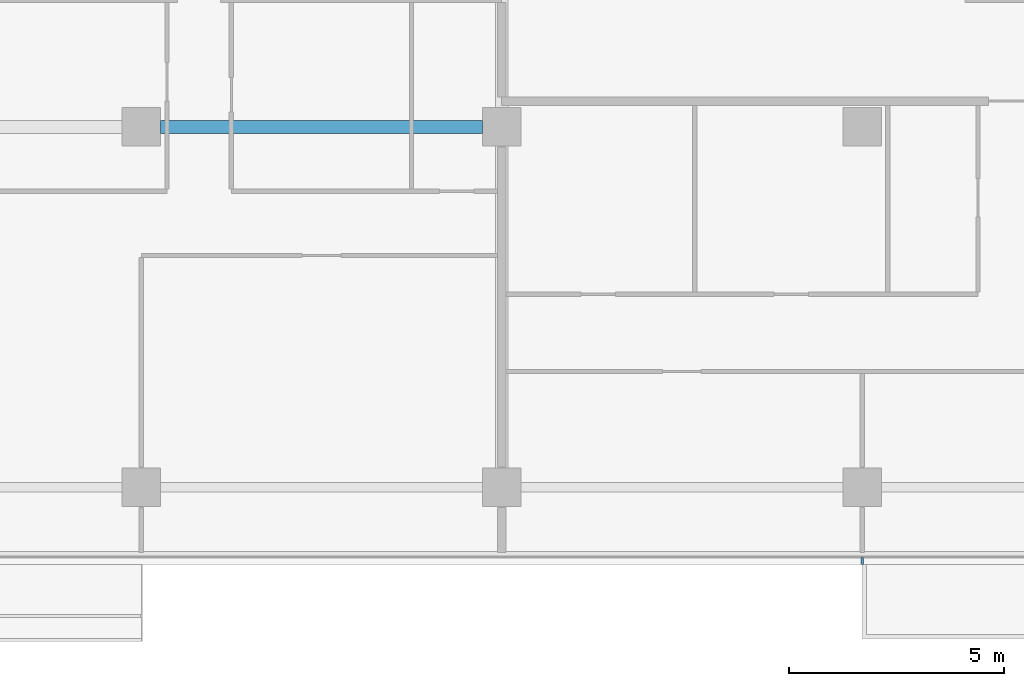
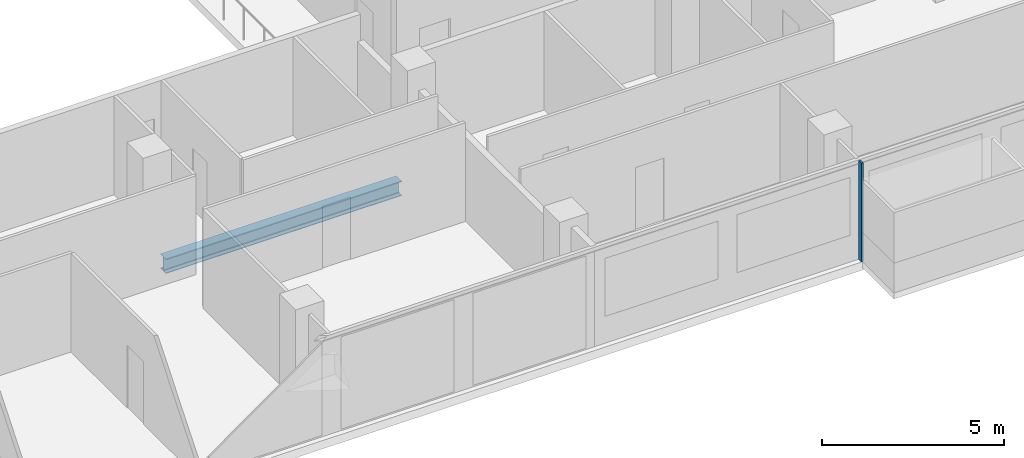
# One storey, part 6 of 27: 1 beam, 1 member, 1 element without a shape of its own.
"""IFC4 building model written with IfcOpenShell, lengths in metres."""

import ifcopenshell
import ifcopenshell.guid

model = None  # the IFC model being written
_history = None  # IfcOwnerHistory: only IFC2X3 demands one
_inside = {}  # id of a spatial element -> (the spatial element, [elements in it])
_under = {}  # id of a project, library or spatial element -> (it, [spatial elements below it])
_declared = {}  # id of a project -> (the project, [libraries it declares])
_typed = {}  # id of a type object -> (the type object, [elements of that type])
_made_of = {}  # id of a material, layer set ... -> (it, [elements and type objects made of it])


def new_model(schema):
    """Start an empty IFC model of exactly this schema.

    Asked for "IFC4X3", IfcOpenShell would pick the latest addendum, in which some entities
    have other attributes; the version numbers below select the first issue.
    IFC2X3 requires an IfcOwnerHistory on every rooted entity: one is made here for all.
    """
    global model, _history
    if schema == "IFC4X3":
        model = ifcopenshell.file(schema_version=(4, 3, 0, 0))
    else:
        model = ifcopenshell.file(schema=schema)
    _inside.clear()
    _under.clear()
    _declared.clear()
    _typed.clear()
    _made_of.clear()
    _history = None
    if model.schema == "IFC2X3":
        org = make("IfcOrganization", Name="unknown")
        user = make(
            "IfcPersonAndOrganization",
            ThePerson=make("IfcPerson", FamilyName="unknown"),
            TheOrganization=org,
        )
        app = make(
            "IfcApplication",
            ApplicationDeveloper=org,
            Version="unknown",
            ApplicationFullName="unknown",
            ApplicationIdentifier="unknown",
        )
        _history = make(
            "IfcOwnerHistory",
            OwningUser=user,
            OwningApplication=app,
            ChangeAction="ADDED",
            CreationDate=0,
        )
    return model


def make(cls, **values):
    """One entity of the class cls with the attributes given. An attribute that is None is left unset."""
    return model.create_entity(
        cls, **{name: value for name, value in values.items() if value is not None}
    )


def rooted(cls, **values):
    """An entity with a GlobalId (a new one), such as an element, a storey or a relation."""
    return make(cls, GlobalId=ifcopenshell.guid.new(), OwnerHistory=_history, **values)


def si_unit(unit_type, name, prefix=None):
    """IfcSIUnit, for example si_unit("LENGTHUNIT", "METRE", prefix="MILLI")."""
    return make("IfcSIUnit", UnitType=unit_type, Prefix=prefix, Name=name)


def assignment(units):
    """IfcUnitAssignment: the units of a project."""
    return None if units is None else make("IfcUnitAssignment", Units=units)


def point(xyz):
    """IfcCartesianPoint."""
    return None if xyz is None else make("IfcCartesianPoint", Coordinates=xyz)


def direction(xyz):
    """IfcDirection."""
    return None if xyz is None else make("IfcDirection", DirectionRatios=xyz)


def frame(location, z_axis=None, x_axis=None):
    """IfcAxis2Placement3D, a coordinate frame: its origin and axes. An axis left out is left unset."""
    return make(
        "IfcAxis2Placement3D",
        Location=point(location),
        Axis=direction(z_axis),
        RefDirection=direction(x_axis),
    )


def frame_2d(location, x_axis=None):
    """IfcAxis2Placement2D, a coordinate frame in the plane: its origin and x axis."""
    return make(
        "IfcAxis2Placement2D", Location=point(location), RefDirection=direction(x_axis)
    )


def origin():
    """The frame at (0, 0, 0) with its axes left unset."""
    return frame((0.0, 0.0, 0.0))


def origin_2d():
    """The frame at (0, 0) in the plane with its x axis left unset."""
    return frame_2d((0.0, 0.0))


def place(relative_to, where):
    """IfcLocalPlacement: puts the frame where relative to a parent placement (None: the world)."""
    return make(
        "IfcLocalPlacement", PlacementRelTo=relative_to, RelativePlacement=where
    )


def context(
    kind, dimensions, precision=None, world=None, true_north=None, identifier=None
):
    """IfcGeometricRepresentationContext, for example the 3D "Model" context."""
    return make(
        "IfcGeometricRepresentationContext",
        ContextIdentifier=identifier,
        ContextType=kind,
        CoordinateSpaceDimension=dimensions,
        Precision=precision,
        WorldCoordinateSystem=world,
        TrueNorth=true_north,
    )


def subcontext(parent, identifier, kind, view, scale=None):
    """IfcGeometricRepresentationSubContext, for example "Body" below "Model"."""
    return make(
        "IfcGeometricRepresentationSubContext",
        ContextIdentifier=identifier,
        ContextType=kind,
        ParentContext=parent,
        TargetScale=scale,
        TargetView=view,
    )


def project(units=None, contexts=None):
    """IfcProject with its units and contexts."""
    return rooted(
        "IfcProject",
        Name="project",
        RepresentationContexts=contexts,
        UnitsInContext=assignment(units),
    )


def spatial(cls, under=None, at=None, **own):
    """A site, building, storey or space (cls), placed at a placement, below another one or the project."""
    s = rooted(cls, ObjectPlacement=at, **own)
    if under is not None:
        _under.setdefault(under.id(), (under, []))[1].append(s)
    return s


def profile(cls, at=None, kind="AREA", **sizes):
    """A parametric profile (cls). Its sizes go by their IFC names, for example OverallWidth=200.0."""
    return make(cls, ProfileType=kind, Position=at, **sizes)


def rectangle(**sizes):
    """IfcRectangleProfileDef."""
    return profile("IfcRectangleProfileDef", **sizes)


def i_section(**sizes):
    """IfcIShapeProfileDef."""
    return profile("IfcIShapeProfileDef", **sizes)


def extrude(swept, where, along, depth):
    """IfcExtrudedAreaSolid: the profile swept, set in the frame where, extruded along a direction by depth."""
    return make(
        "IfcExtrudedAreaSolid",
        SweptArea=swept,
        Position=where,
        ExtrudedDirection=direction(along),
        Depth=depth,
    )


def shape(context_of_items, identifier, shape_type, items):
    """IfcShapeRepresentation: the items that make up one representation, for example the "Body"."""
    return make(
        "IfcShapeRepresentation",
        ContextOfItems=context_of_items,
        RepresentationIdentifier=identifier,
        RepresentationType=shape_type,
        Items=items,
    )


def material(Name=None, Category=None):
    """IfcMaterial."""
    return make("IfcMaterial", Name=Name, Category=Category)


def material_profile(
    of_material, cross_section, Name=None, Category=None, Priority=None
):
    """IfcMaterialProfile: a cross section and its material."""
    return make(
        "IfcMaterialProfile",
        Name=Name,
        Material=of_material,
        Profile=cross_section,
        Priority=Priority,
        Category=Category,
    )


def profile_set(profiles, Name=None, composite=None):
    """IfcMaterialProfileSet."""
    return make(
        "IfcMaterialProfileSet",
        Name=Name,
        MaterialProfiles=profiles,
        CompositeProfile=composite,
    )


def made_of(thing, what):
    """Note that an element or type object is made of a material, layer set ...; save() writes the relation."""
    if what is not None:
        _made_of.setdefault(what.id(), (what, []))[1].append(thing)
    return thing


def type_object(cls, material=None, **own):
    """A type object (cls), such as IfcWallType, which elements share."""
    return made_of(rooted(cls, **own), material)


def element(
    cls,
    number,
    at=None,
    inside=None,
    cuts=None,
    type_object=None,
    material=None,
    context=None,
    identifier="Body",
    shape_type=None,
    held_by="IfcProductDefinitionShape",
    body=None,
    shapes=None,
    **own,
):
    """One element of the class cls, such as IfcWall. Its Tag is "e" and its number.

    at: its placement. inside: the storey or other place that contains it. cuts: it is an
    opening in that element (IfcRelVoidsElement). A single representation is given by context,
    identifier, shape_type and body (its items); several are given by shapes. held_by: the class
    of the entity that holds the representations. save() writes the other relations.
    """
    e = rooted(cls, Tag="e%d" % number, ObjectPlacement=at, **own)
    if body is not None:
        shapes = [shape(context, identifier, shape_type, body)]
    if shapes is not None:
        e.Representation = make(held_by, Representations=shapes)
    if inside is not None:
        _inside.setdefault(inside.id(), (inside, []))[1].append(e)
    if cuts is not None:
        rooted(
            "IfcRelVoidsElement", RelatingBuildingElement=cuts, RelatedOpeningElement=e
        )
    if type_object is not None:
        _typed.setdefault(type_object.id(), (type_object, []))[1].append(e)
    return made_of(e, material)


def aggregate(whole, parts):
    """IfcRelAggregates: a whole, such as a stair, and the parts it consists of."""
    return rooted("IfcRelAggregates", RelatingObject=whole, RelatedObjects=parts)


def save(model, path):
    """Write the relations noted so far, then the file.

    IfcRelAggregates (storeys below a building ...), IfcRelContainedInSpatialStructure (elements
    in a storey), IfcRelDefinesByType, IfcRelAssociatesMaterial and IfcRelDeclares: one each for
    every whole, place, type object, material and project.
    """
    for whole, parts in _under.values():
        aggregate(whole, parts)
    for where, things in _inside.values():
        rooted(
            "IfcRelContainedInSpatialStructure",
            RelatedElements=things,
            RelatingStructure=where,
        )
    for kind, things in _typed.values():
        rooted("IfcRelDefinesByType", RelatedObjects=things, RelatingType=kind)
    for what, things in _made_of.values():
        rooted("IfcRelAssociatesMaterial", RelatedObjects=things, RelatingMaterial=what)
    for by, libraries in _declared.values():
        rooted("IfcRelDeclares", RelatingContext=by, RelatedDefinitions=libraries)
    model.write(path)


model = new_model("IFC4")

# Units and contexts
model_context = context("Model", 3, precision=1e-05, world=origin(), true_north=direction((0.0, 1.0)))
body_context = subcontext(model_context, "Body", "Model", "MODEL_VIEW")
ifc_project = project(units=[si_unit("LENGTHUNIT", "METRE"), si_unit("AREAUNIT", "SQUARE_METRE"), si_unit("VOLUMEUNIT", "CUBIC_METRE"), si_unit("PLANEANGLEUNIT", "RADIAN"), si_unit("MASSUNIT", "GRAM", prefix="KILO")], contexts=[model_context])

# Site, building, storey
site_placement = place(None, origin())
site = spatial("IfcSite", under=ifc_project, at=site_placement, CompositionType="ELEMENT")
building_placement = place(site_placement, origin())
building = spatial("IfcBuilding", under=site, at=building_placement, Name="Saffron Gate Tower", CompositionType="ELEMENT")
storey_placement = place(building_placement, frame((0.0, 0.0, 40.800048828125)))
storey = spatial("IfcBuildingStorey", under=building, at=storey_placement, Name="L08", CompositionType="ELEMENT", Elevation=40.800048828125)

# Beam
ifc_material_1 = material(Name="Structural steel S355", Category="steel")
ifc_material_profile_1 = material_profile(ifc_material_1, i_section(OverallWidth=0.300048828125, OverallDepth=0.489990234375, WebThickness=0.011962890625, FlangeThickness=0.02294921875, FilletRadius=0.027099609375, at=origin_2d()))
ifc_profile_set_1 = profile_set([ifc_material_profile_1], Name="Structural steel S355")
beam_type = type_object("IfcBeamType", Name="B8 HEA 500", PredefinedType="BEAM", material=ifc_profile_set_1)
beam_placement = place(storey_placement, frame((92.25, 40.199951171875, -0.525146484375), z_axis=(1.0, 0.0, 0.0), x_axis=(0.0, 1.0, 0.0)))
element("IfcBeam", 1, at=beam_placement, inside=storey, type_object=beam_type, Name="B8 FLOOR GIRDER", PredefinedType="BEAM", context=body_context, shape_type="SweptSolid", body=[
    extrude(i_section(OverallWidth=0.300048828125, OverallDepth=0.489990234375, WebThickness=0.011962890625, FlangeThickness=0.02294921875, FilletRadius=0.027099609375, at=origin_2d()), origin(), (0.0, 0.0, 1.0), 7.5),
])

# Curtain wall, member
ifc_material_2 = material(Name="Aluminium, bronze anodised", Category="aluminium")
curtain_wall_type = type_object("IfcCurtainWallType", Name="CWS1 curtain wall front facade", PredefinedType="NOTDEFINED", material=ifc_material_2)
curtain_wall_placement = place(storey_placement, origin())
curtain_wall = element("IfcCurtainWall", 2, at=curtain_wall_placement, inside=storey, type_object=curtain_wall_type, Name="CWS1 run 1", PredefinedType="NOTDEFINED")
ifc_material_profile_2 = material_profile(ifc_material_2, rectangle(XDim=0.159912109375, YDim=0.06005859375, at=origin_2d()))
ifc_profile_set_2 = profile_set([ifc_material_profile_2], Name="Aluminium, bronze anodised")
member_type = type_object("IfcMemberType", Name="CWS1 mullion 60x160", PredefinedType="MULLION", material=ifc_profile_set_2)
member_placement = place(storey_placement, frame((108.60009765625, 30.080078125, 0.0), z_axis=(0.0, 0.0, 1.0), x_axis=(0.0, 1.0, 0.0)))
member = element("IfcMember", 3, at=member_placement, type_object=member_type, Name="CWS1 mullion 8", PredefinedType="MULLION", context=body_context, shape_type="SweptSolid", body=[
    extrude(rectangle(XDim=0.159912109375, YDim=0.06005859375, at=origin_2d()), origin(), (0.0, 0.0, 1.0), 3.320068359375),
])
aggregate(curtain_wall, [member])

save(model, "model.ifc")
